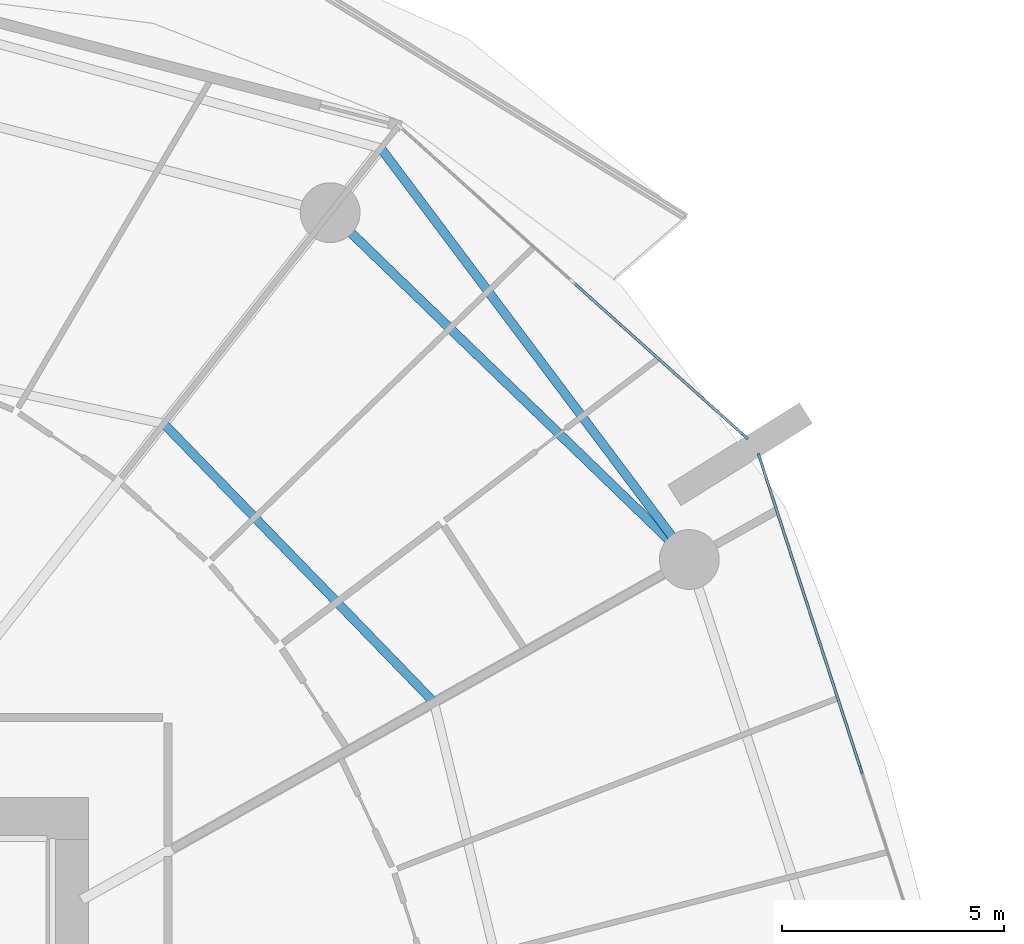
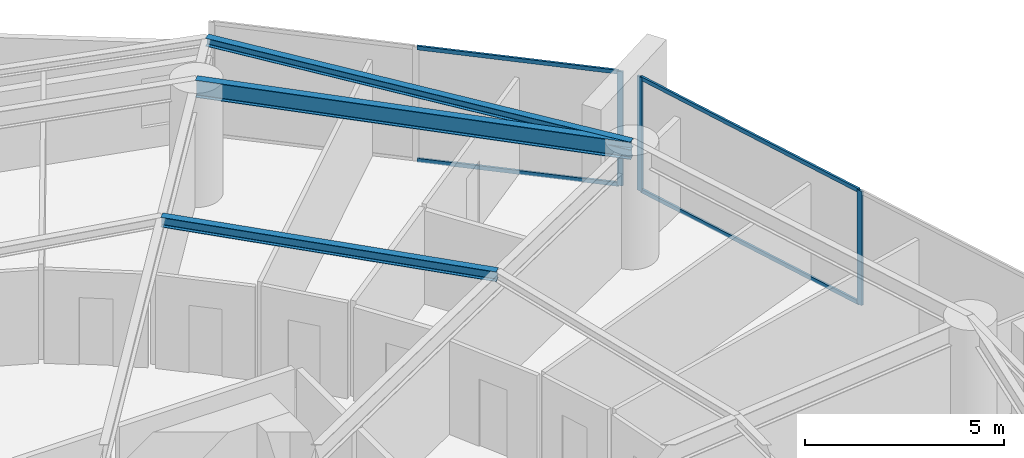
# One storey, part 15 of 31: 7 members, 3 beams, 2 elements without a shape of their own.
"""IFC4 building model written with IfcOpenShell, lengths in metres."""

from ifc_helpers import new_model, si_unit, direction, frame, origin, origin_2d, place, context, subcontext, project, spatial, rectangle, i_section, extrude, material, layer, layer_set, material_profile, profile_set, type_object, element, aggregate, save


model = new_model("IFC4")

# Units and contexts
model_context = context("Model", 3, precision=1e-05, world=origin(), true_north=direction((0.0, 1.0)))
body_context = subcontext(model_context, "Body", "Model", "MODEL_VIEW")
ifc_project = project(units=[si_unit("LENGTHUNIT", "METRE"), si_unit("AREAUNIT", "SQUARE_METRE"), si_unit("VOLUMEUNIT", "CUBIC_METRE"), si_unit("PLANEANGLEUNIT", "RADIAN"), si_unit("MASSUNIT", "GRAM", prefix="KILO")], contexts=[model_context])

# Site, building, storey
site_placement = place(None, origin())
site = spatial("IfcSite", under=ifc_project, at=site_placement, CompositionType="ELEMENT")
building_placement = place(site_placement, origin())
building = spatial("IfcBuilding", under=site, at=building_placement, Name="Kazma Halo Residences", CompositionType="ELEMENT")
storey_placement = place(building_placement, frame((0.0, 0.0, 37.64990234375)))
storey = spatial("IfcBuildingStorey", under=building, at=storey_placement, Name="L08", CompositionType="ELEMENT", Elevation=37.64990234375)

# Beams
ifc_material_1 = material(Name="Steel S355", Category="steel")
ifc_material_profile_1 = material_profile(ifc_material_1, i_section(OverallWidth=0.201904296875, OverallDepth=0.2470703125, WebThickness=0.00732421875, FlangeThickness=0.010986328125, FilletRadius=0.011962890625, at=origin_2d()), Name="W250x49.1")
ifc_profile_set_1 = profile_set([ifc_material_profile_1], Name="Steel S355")
beam_type_1 = type_object("IfcBeamType", Name="BM-BAL-CANT", PredefinedType="BEAM", material=ifc_profile_set_1)
beam_1_placement = place(storey_placement, frame((73.56494140625, 56.317138671875, 3.376708984375), z_axis=(-0.600026935007, 0.799979798037, 0.0), x_axis=(-0.799979798037, -0.600026935007, 0.0)))
element("IfcBeam", 1, at=beam_1_placement, inside=storey, type_object=beam_type_1, Name="L08 wave-balcony lead tie beam 01", PredefinedType="BEAM", context=body_context, shape_type="SweptSolid", body=[
    extrude(i_section(OverallWidth=0.201904296875, OverallDepth=0.2470703125, WebThickness=0.00732421875, FlangeThickness=0.010986328125, FilletRadius=0.011962890625, at=origin_2d()), origin(), (0.0, 0.0, 1.0), 11.601806640625),
])
ifc_material_profile_2 = material_profile(ifc_material_1, i_section(OverallWidth=0.202880859375, OverallDepth=0.302978515625, WebThickness=0.007568359375, FlangeThickness=0.01318359375, FilletRadius=0.013916015625, at=origin_2d()), Name="W310x60")
ifc_profile_set_2 = profile_set([ifc_material_profile_2], Name="Steel S355")
beam_type_2 = type_object("IfcBeamType", Name="BM-SEC-W310A", PredefinedType="JOIST", material=ifc_profile_set_2)
beam_2_placement = place(storey_placement, frame((67.8046875, 53.09130859375, 3.3486328125), z_axis=(-0.696130608567, 0.717915159205, 0.0), x_axis=(-0.717915159205, -0.696130608567, 0.0)))
element("IfcBeam", 2, at=beam_2_placement, inside=storey, type_object=beam_type_2, Name="L08 circumferential floor joist 01", PredefinedType="JOIST", context=body_context, shape_type="SweptSolid", body=[
    extrude(i_section(OverallWidth=0.202880859375, OverallDepth=0.302978515625, WebThickness=0.007568359375, FlangeThickness=0.01318359375, FilletRadius=0.013916015625, at=origin_2d()), origin(), (0.0, 0.0, 1.0), 8.763916015625),
])
ifc_material_profile_3 = material_profile(ifc_material_1, i_section(OverallWidth=0.208984375, OverallDepth=0.532958984375, WebThickness=0.01025390625, FlangeThickness=0.015625, FilletRadius=0.01611328125, at=origin_2d()), Name="W530x92")
ifc_profile_set_3 = profile_set([ifc_material_profile_3], Name="Steel S355")
beam_type_3 = type_object("IfcBeamType", Name="BM-SPN-W530", PredefinedType="BEAM", material=ifc_profile_set_3)
beam_3_placement = place(storey_placement, frame((73.56494140625, 56.317138671875, 3.233642578125), z_axis=(-0.719336506967, 0.694661780829, 0.0), x_axis=(-0.694661780829, -0.719336506967, 0.0)))
element("IfcBeam", 3, at=beam_3_placement, inside=storey, type_object=beam_type_3, Name="L08 perimeter ring beam 01", PredefinedType="BEAM", context=body_context, shape_type="SweptSolid", body=[
    extrude(i_section(OverallWidth=0.208984375, OverallDepth=0.532958984375, WebThickness=0.01025390625, FlangeThickness=0.015625, FilletRadius=0.01611328125, at=origin_2d()), origin(), (0.0, 0.0, 1.0), 11.269775390625),
])

# Curtain wall, member
ifc_material_2 = material(Name="Aluminium AW-6063 T6 and Triple-Silver Low-E Glass", Category="aluminium")
ifc_layer = layer(ifc_material_2, 0.159912109375)
ifc_layer_set = layer_set([ifc_layer], Name="Aluminium AW-6063 T6 and Triple-Silver Low-E Glass")
curtain_wall_type = type_object("IfcCurtainWallType", Name="CW-SYS-2", PredefinedType="NOTDEFINED", material=ifc_layer_set)
curtain_wall_1_placement = place(storey_placement, origin())
curtain_wall_1 = element("IfcCurtainWall", 4, at=curtain_wall_1_placement, inside=storey, type_object=curtain_wall_type, Name="L08 unitised curtain wall B01", PredefinedType="NOTDEFINED")
ifc_material_3 = material(Name="Aluminium AW-6063 T6", Category="aluminium")
ifc_material_profile_4 = material_profile(ifc_material_3, rectangle(XDim=0.06005859375, YDim=0.159912109375, at=origin_2d()), Name="CWM-60x160")
ifc_profile_set_4 = profile_set([ifc_material_profile_4], Name="Aluminium AW-6063 T6")
member_type_1 = type_object("IfcMemberType", Name="CW-SYS-2-MUL", PredefinedType="MULLION", material=ifc_profile_set_4)
member_1_placement = place(storey_placement, frame((74.82666015625, 59.091796875, 0.0), z_axis=(0.0, 0.0, 1.0), x_axis=(-0.667821453854, -0.744321506993, 0.0)))
member_1 = element("IfcMember", 5, at=member_1_placement, type_object=member_type_1, Name="CWS-2 mullion 1", PredefinedType="MULLION", context=body_context, shape_type="SweptSolid", body=[
    extrude(rectangle(XDim=0.06005859375, YDim=0.159912109375, at=origin_2d()), origin(), (0.0, 0.0, 1.0), 3.5),
])

# Curtain wall, members
curtain_wall_2_placement = place(storey_placement, origin())
curtain_wall_2 = element("IfcCurtainWall", 6, at=curtain_wall_2_placement, inside=storey, type_object=curtain_wall_type, Name="L08 unitised curtain wall B16", PredefinedType="NOTDEFINED")
member_2_placement = place(storey_placement, frame((77.44189453125, 51.56640625, 0.0), z_axis=(0.0, 0.0, 1.0), x_axis=(-0.95105652404, -0.309016970539, 0.0)))
member_2 = element("IfcMember", 7, at=member_2_placement, type_object=member_type_1, Name="CWS-2 mullion 2", PredefinedType="MULLION", context=body_context, shape_type="SweptSolid", body=[
    extrude(rectangle(XDim=0.06005859375, YDim=0.159912109375, at=origin_2d()), origin(), (0.0, 0.0, 1.0), 3.5),
])
member_3_placement = place(storey_placement, frame((75.145751953125, 58.63330078125, 0.0), z_axis=(0.0, 0.0, 1.0), x_axis=(-0.95105652404, -0.309016970539, 0.0)))
member_3 = element("IfcMember", 8, at=member_3_placement, type_object=member_type_1, Name="CWS-2 mullion 3", PredefinedType="MULLION", context=body_context, shape_type="SweptSolid", body=[
    extrude(rectangle(XDim=0.06005859375, YDim=0.159912109375, at=origin_2d()), origin(), (0.0, 0.0, 1.0), 3.5),
])

# Member
ifc_material_profile_5 = material_profile(ifc_material_3, rectangle(XDim=0.06005859375, YDim=0.1201171875, at=origin_2d()), Name="CWT-60x120")
ifc_profile_set_5 = profile_set([ifc_material_profile_5], Name="Aluminium AW-6063 T6")
member_type_2 = type_object("IfcMemberType", Name="CW-SYS-2-TRN", PredefinedType="USERDEFINED", material=ifc_profile_set_5)
member_4_placement = place(storey_placement, frame((74.80419921875, 59.11181640625, 0.030029296875), z_axis=(-0.744329408538, 0.66781264707, 0.0), x_axis=(-0.66781264707, -0.744329408538, 0.0)))
member_4 = element("IfcMember", 9, at=member_4_placement, type_object=member_type_2, Name="CWS-2 transom 1.1", ObjectType="TRANSOM", PredefinedType="USERDEFINED", context=body_context, shape_type="SweptSolid", body=[
    extrude(rectangle(XDim=0.06005859375, YDim=0.1201171875, at=origin_2d()), origin(), (0.0, 0.0, 1.0), 5.178466796875),
])

member_5_placement = place(storey_placement, frame((74.80419921875, 59.11181640625, 3.47021484375), z_axis=(-0.744329408538, 0.66781264707, 0.0), x_axis=(-0.66781264707, -0.744329408538, 0.0)))
member_5 = element("IfcMember", 10, at=member_5_placement, type_object=member_type_2, Name="CWS-2 transom 1.2", ObjectType="TRANSOM", PredefinedType="USERDEFINED", context=body_context, shape_type="SweptSolid", body=[
    extrude(rectangle(XDim=0.06005859375, YDim=0.1201171875, at=origin_2d()), origin(), (0.0, 0.0, 1.0), 5.178466796875),
])

aggregate(curtain_wall_1, [member_1, member_4, member_5])

member_6_placement = place(storey_placement, frame((77.4326171875, 51.5947265625, 0.030029296875), z_axis=(-0.309004433966, 0.951060597328, 0.0), x_axis=(-0.951060597328, -0.309004433966, 0.0)))
member_6 = element("IfcMember", 11, at=member_6_placement, type_object=member_type_2, Name="CWS-2 transom 2.1", ObjectType="TRANSOM", PredefinedType="USERDEFINED", context=body_context, shape_type="SweptSolid", body=[
    extrude(rectangle(XDim=0.06005859375, YDim=0.1201171875, at=origin_2d()), origin(), (0.0, 0.0, 1.0), 7.370849609375),
])

member_7_placement = place(storey_placement, frame((77.4326171875, 51.5947265625, 3.47021484375), z_axis=(-0.309004433966, 0.951060597328, 0.0), x_axis=(-0.951060597328, -0.309004433966, 0.0)))
member_7 = element("IfcMember", 12, at=member_7_placement, type_object=member_type_2, Name="CWS-2 transom 2.2", ObjectType="TRANSOM", PredefinedType="USERDEFINED", context=body_context, shape_type="SweptSolid", body=[
    extrude(rectangle(XDim=0.06005859375, YDim=0.1201171875, at=origin_2d()), origin(), (0.0, 0.0, 1.0), 7.370849609375),
])

aggregate(curtain_wall_2, [member_2, member_3, member_6, member_7])

save(model, "model.ifc")
